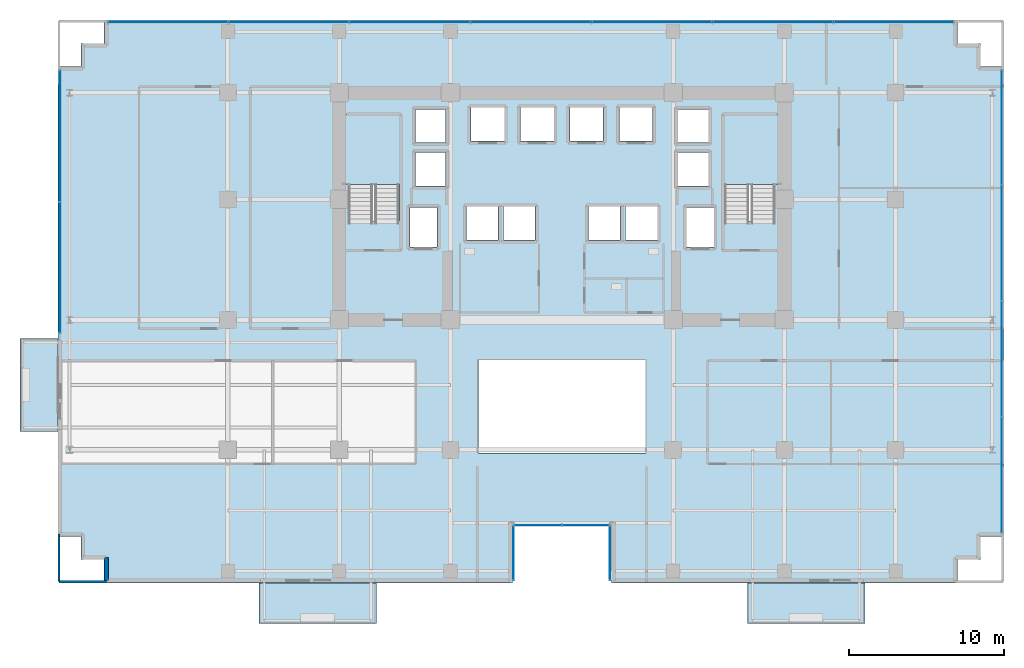
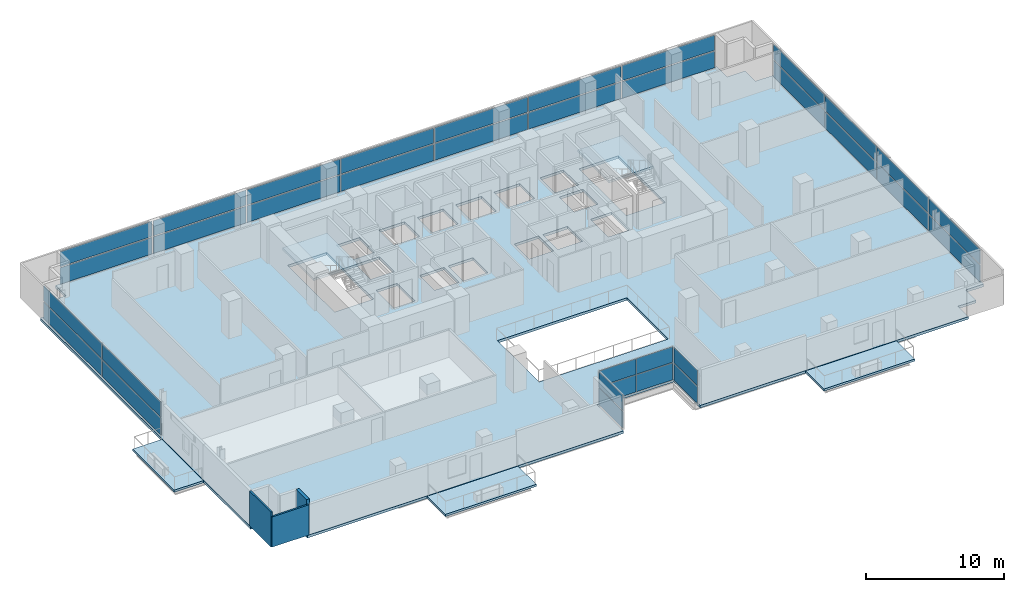
# One storey, part 22 of 30: 34 plates, 6 slabs, 3 walls, 8 elements without a shape of their own.
"""IFC4 building model written with IfcOpenShell, lengths in metres."""

from ifc_helpers import new_model, si_unit, direction, frame, frame_2d, origin, origin_2d, place, context, subcontext, project, spatial, polyline, rectangle, outline, extrude, source, transform, mapped, material, layer, layer_set, type_object, element, aggregate, save


model = new_model("IFC4")

# Units and contexts
model_context = context("Model", 3, precision=1e-05, world=origin(), true_north=direction((0.0, 1.0)))
body_context = subcontext(model_context, "Body", "Model", "MODEL_VIEW")
ifc_project = project(units=[si_unit("LENGTHUNIT", "METRE"), si_unit("AREAUNIT", "SQUARE_METRE"), si_unit("VOLUMEUNIT", "CUBIC_METRE"), si_unit("PLANEANGLEUNIT", "RADIAN"), si_unit("MASSUNIT", "GRAM", prefix="KILO")], contexts=[model_context])

# Site, building, storey
site_placement = place(None, origin())
site = spatial("IfcSite", under=ifc_project, at=site_placement, CompositionType="ELEMENT")
building_placement = place(site_placement, origin())
building = spatial("IfcBuilding", under=site, at=building_placement, Name="Zarnakvel Exchange Tower", CompositionType="ELEMENT")
storey_placement = place(building_placement, frame((0.0, 0.0, 34.0)))
storey = spatial("IfcBuildingStorey", under=building, at=storey_placement, Name="L08", CompositionType="ELEMENT", Elevation=34.0)

# Stair, slab
ifc_material_1 = material(Name="Concrete C40/50", Category="concrete")
stair_type = type_object("IfcStairType", Name="STR-01", PredefinedType="HALF_TURN_STAIR", material=ifc_material_1)
stair_1_placement = place(storey_placement, origin())
stair_1 = element("IfcStair", 1, at=stair_1_placement, inside=storey, type_object=stair_type, Name="L08 Protected Core Exit Stair ST-01", PredefinedType="HALF_TURN_STAIR")
ifc_layer_1 = layer(ifc_material_1, 0.199951171875)
ifc_layer_set_1 = layer_set([ifc_layer_1], Name="Concrete C40/50")
slab_type_1 = type_object("IfcSlabType", Name="LDG-01", PredefinedType="LANDING", material=ifc_layer_set_1)
slab_1_placement = place(storey_placement, frame((0.0, 0.0, 1.449951171875)))
slab_1 = element("IfcSlab", 2, at=slab_1_placement, type_object=slab_type_1, Name="ST-01 landing 1", PredefinedType="LANDING", context=body_context, shape_type="SweptSolid", body=[
    extrude(outline(polyline([(-14.18994140625, 7.570068359375), (-10.4599609375, 7.570068359375), (-10.4599609375, 12.080078125), (-14.18994140625, 12.080078125), (-14.18994140625, 7.570068359375)])), origin(), (0.0, 0.0, 1.0), 0.199951171875),
])
aggregate(stair_1, [slab_1])

stair_2_placement = place(storey_placement, origin())
stair_2 = element("IfcStair", 3, at=stair_2_placement, inside=storey, type_object=stair_type, Name="L08 Protected Core Exit Stair ST-02", PredefinedType="HALF_TURN_STAIR")
slab_2_placement = place(storey_placement, frame((0.0, 0.0, 1.449951171875)))
slab_2 = element("IfcSlab", 4, at=slab_2_placement, type_object=slab_type_1, Name="ST-02 landing 1", PredefinedType="LANDING", context=body_context, shape_type="SweptSolid", body=[
    extrude(outline(polyline([(10.4599609375, 7.570068359375), (14.18994140625, 7.570068359375), (14.18994140625, 12.080078125), (10.4599609375, 12.080078125), (10.4599609375, 7.570068359375)])), origin(), (0.0, 0.0, 1.0), 0.199951171875),
])
aggregate(stair_2, [slab_2])

# Slabs
ifc_layer_2 = layer(ifc_material_1, 0.22509765625)
ifc_layer_set_2 = layer_set([ifc_layer_2], Name="Concrete C40/50")
slab_type_2 = type_object("IfcSlabType", Name="SL-04", PredefinedType="FLOOR", material=ifc_layer_set_2)
slab_3_placement = place(storey_placement, frame((0.0, 0.0, -0.22509765625)))
element("IfcSlab", 5, at=slab_3_placement, inside=storey, type_object=slab_type_2, Name="L08 Primary Structural Floor Slab", PredefinedType="FLOOR", context=body_context, shape_type="SweptSolid", body=[
    extrude(outline(polyline([(-32.60009765625, -15.199951171875), (-31.10009765625, -15.199951171875), (-31.10009765625, -16.699951171875), (-29.60009765625, -16.699951171875), (-29.60009765625, -18.199951171875), (-3.199951171875, -18.199951171875), (-3.199951171875, -14.39990234375), (3.199951171875, -14.39990234375), (3.199951171875, -18.199951171875), (25.60009765625, -18.199951171875), (25.60009765625, -16.699951171875), (27.10009765625, -16.699951171875), (27.10009765625, -15.199951171875), (28.60009765625, -15.199951171875), (28.60009765625, 15.199951171875), (27.10009765625, 15.199951171875), (27.10009765625, 16.699951171875), (25.60009765625, 16.699951171875), (25.60009765625, 18.199951171875), (-29.60009765625, 18.199951171875), (-29.60009765625, 16.699951171875), (-31.10009765625, 16.699951171875), (-31.10009765625, 15.199951171875), (-32.60009765625, 15.199951171875), (-32.60009765625, -15.199951171875)]), holes=[polyline([(-5.39990234375, -9.800048828125), (5.39990234375, -9.800048828125), (5.39990234375, -3.800048828125), (-5.39990234375, -3.800048828125), (-5.39990234375, -9.800048828125)]), polyline([(-13.800048828125, 5.2099609375), (-10.5400390625, 5.2099609375), (-10.5400390625, 12.0), (-13.800048828125, 12.0), (-13.800048828125, 5.2099609375)]), polyline([(10.5400390625, 5.2099609375), (13.800048828125, 5.2099609375), (13.800048828125, 12.0), (10.5400390625, 12.0), (10.5400390625, 5.2099609375)]), polyline([(-9.830078125, 3.52001953125), (-8.070068359375, 3.52001953125), (-8.070068359375, 6.080078125), (-9.830078125, 6.080078125), (-9.830078125, 3.52001953125)]), polyline([(8.070068359375, 3.52001953125), (9.830078125, 3.52001953125), (9.830078125, 6.080078125), (8.070068359375, 6.080078125), (8.070068359375, 3.52001953125)]), polyline([(-5.8798828125, 10.3701171875), (-3.719970703125, 10.3701171875), (-3.719970703125, 12.530029296875), (-5.8798828125, 12.530029296875), (-5.8798828125, 10.3701171875)]), polyline([(-2.679931640625, 10.3701171875), (-0.52001953125, 10.3701171875), (-0.52001953125, 12.530029296875), (-2.679931640625, 12.530029296875), (-2.679931640625, 10.3701171875)]), polyline([(0.52001953125, 10.3701171875), (2.679931640625, 10.3701171875), (2.679931640625, 12.530029296875), (0.52001953125, 12.530029296875), (0.52001953125, 10.3701171875)]), polyline([(3.719970703125, 10.3701171875), (5.8798828125, 10.3701171875), (5.8798828125, 12.530029296875), (3.719970703125, 12.530029296875), (3.719970703125, 10.3701171875)]), polyline([(-6.179931640625, 3.969970703125), (-4.1201171875, 3.969970703125), (-4.1201171875, 6.1298828125), (-6.179931640625, 6.1298828125), (-6.179931640625, 3.969970703125)]), polyline([(-3.780029296875, 3.969970703125), (-1.719970703125, 3.969970703125), (-1.719970703125, 6.1298828125), (-3.780029296875, 6.1298828125), (-3.780029296875, 3.969970703125)]), polyline([(1.719970703125, 3.969970703125), (3.780029296875, 3.969970703125), (3.780029296875, 6.1298828125), (1.719970703125, 6.1298828125), (1.719970703125, 3.969970703125)]), polyline([(4.1201171875, 3.969970703125), (6.179931640625, 3.969970703125), (6.179931640625, 6.1298828125), (4.1201171875, 6.1298828125), (4.1201171875, 3.969970703125)]), polyline([(-9.47998046875, 7.469970703125), (-7.52001953125, 7.469970703125), (-7.52001953125, 9.6298828125), (-9.47998046875, 9.6298828125), (-9.47998046875, 7.469970703125)]), polyline([(-9.47998046875, 10.27001953125), (-7.52001953125, 10.27001953125), (-7.52001953125, 12.429931640625), (-9.47998046875, 12.429931640625), (-9.47998046875, 10.27001953125)]), polyline([(7.52001953125, 7.469970703125), (9.47998046875, 7.469970703125), (9.47998046875, 9.6298828125), (7.52001953125, 9.6298828125), (7.52001953125, 7.469970703125)]), polyline([(7.52001953125, 10.27001953125), (9.47998046875, 10.27001953125), (9.47998046875, 12.429931640625), (7.52001953125, 12.429931640625), (7.52001953125, 10.27001953125)])]), origin(), (0.0, 0.0, 1.0), 0.22509765625),
])
ifc_layer_3 = layer(ifc_material_1, 0.18994140625)
ifc_layer_set_3 = layer_set([ifc_layer_3], Name="Concrete C40/50")
slab_type_3 = type_object("IfcSlabType", Name="SL-08", PredefinedType="USERDEFINED", material=ifc_layer_set_3)
slab_4_placement = place(storey_placement, frame((0.0, 0.0, -0.22509765625)))
element("IfcSlab", 6, at=slab_4_placement, inside=storey, type_object=slab_type_3, Name="L08 Planted Loggia Balcony Slab BAL-L08-SW", ObjectType="BALCONY", PredefinedType="USERDEFINED", context=body_context, shape_type="SweptSolid", body=[
    extrude(outline(polyline([(-19.60009765625, -20.85009765625), (-12.0, -20.85009765625), (-12.0, -18.199951171875), (-19.60009765625, -18.199951171875), (-19.60009765625, -20.85009765625)])), origin(), (0.0, 0.0, 1.0), 0.190185546875),
])
slab_5_placement = place(storey_placement, frame((0.0, 0.0, -0.22509765625)))
element("IfcSlab", 7, at=slab_5_placement, inside=storey, type_object=slab_type_3, Name="L08 Planted Loggia Balcony Slab BAL-L08-SE", ObjectType="BALCONY", PredefinedType="USERDEFINED", context=body_context, shape_type="SweptSolid", body=[
    extrude(outline(polyline([(12.0, -20.85009765625), (19.60009765625, -20.85009765625), (19.60009765625, -18.199951171875), (12.0, -18.199951171875), (12.0, -20.85009765625)])), origin(), (0.0, 0.0, 1.0), 0.190185546875),
])
slab_6_placement = place(storey_placement, frame((0.0, 0.0, -0.22509765625)))
element("IfcSlab", 8, at=slab_6_placement, inside=storey, type_object=slab_type_3, Name="L08 Planted Loggia Balcony Slab BAL-L08-W", ObjectType="BALCONY", PredefinedType="USERDEFINED", context=body_context, shape_type="SweptSolid", body=[
    extrude(outline(polyline([(-35.050048828125, -8.39990234375), (-32.60009765625, -8.39990234375), (-32.60009765625, -2.39990234375), (-35.050048828125, -2.39990234375), (-35.050048828125, -8.39990234375)])), origin(), (0.0, 0.0, 1.0), 0.190185546875),
])

# Curtain wall, plate
ifc_material_2 = material(Name="Architectural Bronze Anodised Aluminium", Category="aluminium")
ifc_layer_4 = layer(ifc_material_2, 0.179931640625)
ifc_layer_set_4 = layer_set([ifc_layer_4], Name="Architectural Bronze Anodised Aluminium")
curtain_wall_type_1 = type_object("IfcCurtainWallType", Name="CW-05", PredefinedType="NOTDEFINED", material=ifc_layer_set_4)
curtain_wall_1_placement = place(storey_placement, origin())
curtain_wall_1 = element("IfcCurtainWall", 9, at=curtain_wall_1_placement, inside=storey, type_object=curtain_wall_type_1, Name="L08 Curtain Wall CW-L08-SLW (CW-05)", PredefinedType="NOTDEFINED")
ifc_material_3 = material(Name="Double Low-E Laminated Vision Glass", Category="glass")
ifc_layer_5 = layer(ifc_material_3, 0.02587890625)
ifc_layer_set_5 = layer_set([ifc_layer_5], Name="Double Low-E Laminated Vision Glass")
plate_type_1 = type_object("IfcPlateType", Name="CWP-05", PredefinedType="CURTAIN_PANEL", material=ifc_layer_set_5)
shared_shape_1 = source(origin(), body_context, "Body", "SweptSolid", [
    extrude(rectangle(XDim=3.4599609375, YDim=0.02587890625, at=origin_2d()), origin(), (0.0, 0.0, 1.0), 1.483642578125),
])
plate_1_placement = place(storey_placement, frame((-3.1201171875, -16.280029296875, 0.06982421875), z_axis=(0.0, 0.0, 1.0), x_axis=(0.0, 1.0, 0.0)))
plate_1 = element("IfcPlate", 10, at=plate_1_placement, type_object=plate_type_1, Name="CW-05 panel 1.1", PredefinedType="CURTAIN_PANEL", context=body_context, shape_type="MappedRepresentation", body=[
    mapped(shared_shape_1, transform((0.0, 0.0, 0.0), x_axis=(1.0, 0.0, 0.0), y_axis=(0.0, 1.0, 0.0), z_axis=(0.0, 0.0, 1.0), scale=1.0)),
])

curtain_wall_2_placement = place(storey_placement, origin())
curtain_wall_2 = element("IfcCurtainWall", 11, at=curtain_wall_2_placement, inside=storey, type_object=curtain_wall_type_1, Name="L08 Curtain Wall CW-L08-SLE (CW-05)", PredefinedType="NOTDEFINED")
plate_2_placement = place(storey_placement, frame((3.1201171875, -16.280029296875, 0.06982421875), z_axis=(0.0, 0.0, 1.0), x_axis=(0.0, -1.0, 0.0)))
plate_2 = element("IfcPlate", 12, at=plate_2_placement, type_object=plate_type_1, Name="CW-05 panel 1.1", PredefinedType="CURTAIN_PANEL", context=body_context, shape_type="MappedRepresentation", body=[
    mapped(shared_shape_1, transform((0.0, 0.0, 0.0), x_axis=(1.0, 0.0, 0.0), y_axis=(0.0, 1.0, 0.0), z_axis=(0.0, 0.0, 1.0), scale=1.0)),
])

# Plate
shared_shape_2 = source(origin(), body_context, "Body", "SweptSolid", [
    extrude(rectangle(XDim=3.4599609375, YDim=0.02587890625, at=origin_2d()), origin(), (0.0, 0.0, 1.0), 1.361328125),
])
plate_3_placement = place(storey_placement, frame((-3.1201171875, -16.280029296875, 1.62353515625), z_axis=(0.0, 0.0, 1.0), x_axis=(0.0, 1.0, 0.0)))
plate_3 = element("IfcPlate", 13, at=plate_3_placement, type_object=plate_type_1, Name="CW-05 panel 1.2", PredefinedType="CURTAIN_PANEL", context=body_context, shape_type="MappedRepresentation", body=[
    mapped(shared_shape_2, transform((0.0, 0.0, 0.0), x_axis=(1.0, 0.0, 0.0), y_axis=(0.0, 1.0, 0.0), z_axis=(0.0, 0.0, 1.0), scale=1.0)),
])

aggregate(curtain_wall_1, [plate_1, plate_3])

plate_4_placement = place(storey_placement, frame((3.1201171875, -16.280029296875, 1.62353515625), z_axis=(0.0, 0.0, 1.0), x_axis=(0.0, -1.0, 0.0)))
plate_4 = element("IfcPlate", 14, at=plate_4_placement, type_object=plate_type_1, Name="CW-05 panel 1.2", PredefinedType="CURTAIN_PANEL", context=body_context, shape_type="MappedRepresentation", body=[
    mapped(shared_shape_2, transform((0.0, 0.0, 0.0), x_axis=(1.0, 0.0, 0.0), y_axis=(0.0, 1.0, 0.0), z_axis=(0.0, 0.0, 1.0), scale=1.0)),
])

aggregate(curtain_wall_2, [plate_2, plate_4])

# Curtain wall, plates
curtain_wall_3_placement = place(storey_placement, origin())
curtain_wall_3 = element("IfcCurtainWall", 15, at=curtain_wall_3_placement, inside=storey, type_object=curtain_wall_type_1, Name="L08 Curtain Wall CW-L08-SLB (CW-05)", PredefinedType="NOTDEFINED")
shared_shape_3 = source(origin(), body_context, "Body", "SweptSolid", [
    extrude(rectangle(XDim=3.014892578125, YDim=0.02587890625, at=origin_2d()), origin(), (0.0, 0.0, 1.0), 1.483642578125),
])
plate_5_placement = place(storey_placement, frame((-1.54248046875, -14.47998046875, 0.06982421875), z_axis=(0.0, 0.0, 1.0), x_axis=(1.0, 0.0, 0.0)))
plate_5 = element("IfcPlate", 16, at=plate_5_placement, type_object=plate_type_1, Name="CW-05 panel 1.1", PredefinedType="CURTAIN_PANEL", context=body_context, shape_type="MappedRepresentation", body=[
    mapped(shared_shape_3, transform((0.0, 0.0, 0.0), x_axis=(1.0, 0.0, 0.0), y_axis=(0.0, 1.0, 0.0), z_axis=(0.0, 0.0, 1.0), scale=1.0)),
])
plate_6_placement = place(storey_placement, frame((1.54248046875, -14.47998046875, 0.06982421875), z_axis=(0.0, 0.0, 1.0), x_axis=(1.0, 0.0, 0.0)))
plate_6 = element("IfcPlate", 17, at=plate_6_placement, type_object=plate_type_1, Name="CW-05 panel 2.1", PredefinedType="CURTAIN_PANEL", context=body_context, shape_type="MappedRepresentation", body=[
    mapped(shared_shape_3, transform((0.0, 0.0, 0.0), x_axis=(1.0, 0.0, 0.0), y_axis=(0.0, 1.0, 0.0), z_axis=(0.0, 0.0, 1.0), scale=1.0)),
])
shared_shape_4 = source(origin(), body_context, "Body", "SweptSolid", [
    extrude(rectangle(XDim=3.014892578125, YDim=0.02587890625, at=origin_2d()), origin(), (0.0, 0.0, 1.0), 1.361328125),
])
plate_7_placement = place(storey_placement, frame((-1.54248046875, -14.47998046875, 1.62353515625), z_axis=(0.0, 0.0, 1.0), x_axis=(1.0, 0.0, 0.0)))
plate_7 = element("IfcPlate", 18, at=plate_7_placement, type_object=plate_type_1, Name="CW-05 panel 1.2", PredefinedType="CURTAIN_PANEL", context=body_context, shape_type="MappedRepresentation", body=[
    mapped(shared_shape_4, transform((0.0, 0.0, 0.0), x_axis=(1.0, 0.0, 0.0), y_axis=(0.0, 1.0, 0.0), z_axis=(0.0, 0.0, 1.0), scale=1.0)),
])
plate_8_placement = place(storey_placement, frame((1.54248046875, -14.47998046875, 1.62353515625), z_axis=(0.0, 0.0, 1.0), x_axis=(1.0, 0.0, 0.0)))
plate_8 = element("IfcPlate", 19, at=plate_8_placement, type_object=plate_type_1, Name="CW-05 panel 2.2", PredefinedType="CURTAIN_PANEL", context=body_context, shape_type="MappedRepresentation", body=[
    mapped(shared_shape_4, transform((0.0, 0.0, 0.0), x_axis=(1.0, 0.0, 0.0), y_axis=(0.0, 1.0, 0.0), z_axis=(0.0, 0.0, 1.0), scale=1.0)),
])
aggregate(curtain_wall_3, [plate_5, plate_7, plate_6, plate_8])

ifc_layer_6 = layer(ifc_material_2, 0.239990234375)
ifc_layer_set_6 = layer_set([ifc_layer_6], Name="Architectural Bronze Anodised Aluminium")
curtain_wall_type_2 = type_object("IfcCurtainWallType", Name="CW-02", PredefinedType="NOTDEFINED", material=ifc_layer_set_6)
curtain_wall_4_placement = place(storey_placement, origin())
curtain_wall_4 = element("IfcCurtainWall", 20, at=curtain_wall_4_placement, inside=storey, type_object=curtain_wall_type_2, Name="L08 Curtain Wall CW-L08-N1 (CW-02)", PredefinedType="NOTDEFINED")
ifc_layer_7 = layer(ifc_material_3, 0.031982421875)
ifc_layer_set_7 = layer_set([ifc_layer_7], Name="Double Low-E Laminated Vision Glass")
plate_type_2 = type_object("IfcPlateType", Name="CWP-02", PredefinedType="CURTAIN_PANEL", material=ifc_layer_set_7)
shared_shape_5 = source(origin(), body_context, "Body", "SweptSolid", [
    extrude(rectangle(XDim=7.693603515625, YDim=0.031982421875, at=origin_2d()), origin(), (0.0, 0.0, 1.0), 1.461181640625),
])
plate_9_placement = place(storey_placement, frame((-25.463134765625, 18.06005859375, 0.0849609375), z_axis=(0.0, 0.0, 1.0), x_axis=(1.0, 0.0, 0.0)))
plate_9 = element("IfcPlate", 21, at=plate_9_placement, type_object=plate_type_2, Name="CW-02 panel 1.1", PredefinedType="CURTAIN_PANEL", context=body_context, shape_type="MappedRepresentation", body=[
    mapped(shared_shape_5, transform((0.0, 0.0, 0.0), x_axis=(1.0, 0.0, 0.0), y_axis=(0.0, 1.0, 0.0), z_axis=(0.0, 0.0, 1.0), scale=1.0)),
])
plate_10_placement = place(storey_placement, frame((21.463134765625, 18.06005859375, 0.0849609375), z_axis=(0.0, 0.0, 1.0), x_axis=(1.0, 0.0, 0.0)))
plate_10 = element("IfcPlate", 22, at=plate_10_placement, type_object=plate_type_2, Name="CW-02 panel 7.1", PredefinedType="CURTAIN_PANEL", context=body_context, shape_type="MappedRepresentation", body=[
    mapped(shared_shape_5, transform((0.0, 0.0, 0.0), x_axis=(1.0, 0.0, 0.0), y_axis=(0.0, 1.0, 0.0), z_axis=(0.0, 0.0, 1.0), scale=1.0)),
])
shared_shape_6 = source(origin(), body_context, "Body", "SweptSolid", [
    extrude(rectangle(XDim=7.693603515625, YDim=0.031982421875, at=origin_2d()), origin(), (0.0, 0.0, 1.0), 1.3388671875),
])
plate_11_placement = place(storey_placement, frame((-25.463134765625, 18.06005859375, 1.631103515625), z_axis=(0.0, 0.0, 1.0), x_axis=(1.0, 0.0, 0.0)))
plate_11 = element("IfcPlate", 23, at=plate_11_placement, type_object=plate_type_2, Name="CW-02 panel 1.2", PredefinedType="CURTAIN_PANEL", context=body_context, shape_type="MappedRepresentation", body=[
    mapped(shared_shape_6, transform((0.0, 0.0, 0.0), x_axis=(1.0, 0.0, 0.0), y_axis=(0.0, 1.0, 0.0), z_axis=(0.0, 0.0, 1.0), scale=1.0)),
])
plate_12_placement = place(storey_placement, frame((21.463134765625, 18.06005859375, 1.631103515625), z_axis=(0.0, 0.0, 1.0), x_axis=(1.0, 0.0, 0.0)))
plate_12 = element("IfcPlate", 24, at=plate_12_placement, type_object=plate_type_2, Name="CW-02 panel 7.2", PredefinedType="CURTAIN_PANEL", context=body_context, shape_type="MappedRepresentation", body=[
    mapped(shared_shape_6, transform((0.0, 0.0, 0.0), x_axis=(1.0, 0.0, 0.0), y_axis=(0.0, 1.0, 0.0), z_axis=(0.0, 0.0, 1.0), scale=1.0)),
])
shared_shape_7 = source(origin(), body_context, "Body", "SweptSolid", [
    extrude(rectangle(XDim=7.738525390625, YDim=0.031982421875, at=origin_2d()), origin(), (0.0, 0.0, 1.0), 1.461181640625),
])
plate_13_placement = place(storey_placement, frame((-17.6572265625, 18.06005859375, 0.0849609375), z_axis=(0.0, 0.0, 1.0), x_axis=(1.0, 0.0, 0.0)))
plate_13 = element("IfcPlate", 25, at=plate_13_placement, type_object=plate_type_2, Name="CW-02 panel 2.1", PredefinedType="CURTAIN_PANEL", context=body_context, shape_type="MappedRepresentation", body=[
    mapped(shared_shape_7, transform((0.0, 0.0, 0.0), x_axis=(1.0, 0.0, 0.0), y_axis=(0.0, 1.0, 0.0), z_axis=(0.0, 0.0, 1.0), scale=1.0)),
])
plate_14_placement = place(storey_placement, frame((-9.82861328125, 18.06005859375, 0.0849609375), z_axis=(0.0, 0.0, 1.0), x_axis=(1.0, 0.0, 0.0)))
plate_14 = element("IfcPlate", 26, at=plate_14_placement, type_object=plate_type_2, Name="CW-02 panel 3.1", PredefinedType="CURTAIN_PANEL", context=body_context, shape_type="MappedRepresentation", body=[
    mapped(shared_shape_7, transform((0.0, 0.0, 0.0), x_axis=(1.0, 0.0, 0.0), y_axis=(0.0, 1.0, 0.0), z_axis=(0.0, 0.0, 1.0), scale=1.0)),
])
plate_15_placement = place(storey_placement, frame((-2.0, 18.06005859375, 0.0849609375), z_axis=(0.0, 0.0, 1.0), x_axis=(1.0, 0.0, 0.0)))
plate_15 = element("IfcPlate", 27, at=plate_15_placement, type_object=plate_type_2, Name="CW-02 panel 4.1", PredefinedType="CURTAIN_PANEL", context=body_context, shape_type="MappedRepresentation", body=[
    mapped(shared_shape_7, transform((0.0, 0.0, 0.0), x_axis=(1.0, 0.0, 0.0), y_axis=(0.0, 1.0, 0.0), z_axis=(0.0, 0.0, 1.0), scale=1.0)),
])
plate_16_placement = place(storey_placement, frame((5.82861328125, 18.06005859375, 0.0849609375), z_axis=(0.0, 0.0, 1.0), x_axis=(1.0, 0.0, 0.0)))
plate_16 = element("IfcPlate", 28, at=plate_16_placement, type_object=plate_type_2, Name="CW-02 panel 5.1", PredefinedType="CURTAIN_PANEL", context=body_context, shape_type="MappedRepresentation", body=[
    mapped(shared_shape_7, transform((0.0, 0.0, 0.0), x_axis=(1.0, 0.0, 0.0), y_axis=(0.0, 1.0, 0.0), z_axis=(0.0, 0.0, 1.0), scale=1.0)),
])
plate_17_placement = place(storey_placement, frame((13.6572265625, 18.06005859375, 0.0849609375), z_axis=(0.0, 0.0, 1.0), x_axis=(1.0, 0.0, 0.0)))
plate_17 = element("IfcPlate", 29, at=plate_17_placement, type_object=plate_type_2, Name="CW-02 panel 6.1", PredefinedType="CURTAIN_PANEL", context=body_context, shape_type="MappedRepresentation", body=[
    mapped(shared_shape_7, transform((0.0, 0.0, 0.0), x_axis=(1.0, 0.0, 0.0), y_axis=(0.0, 1.0, 0.0), z_axis=(0.0, 0.0, 1.0), scale=1.0)),
])
shared_shape_8 = source(origin(), body_context, "Body", "SweptSolid", [
    extrude(rectangle(XDim=7.738525390625, YDim=0.031982421875, at=origin_2d()), origin(), (0.0, 0.0, 1.0), 1.3388671875),
])
plate_18_placement = place(storey_placement, frame((-17.6572265625, 18.06005859375, 1.631103515625), z_axis=(0.0, 0.0, 1.0), x_axis=(1.0, 0.0, 0.0)))
plate_18 = element("IfcPlate", 30, at=plate_18_placement, type_object=plate_type_2, Name="CW-02 panel 2.2", PredefinedType="CURTAIN_PANEL", context=body_context, shape_type="MappedRepresentation", body=[
    mapped(shared_shape_8, transform((0.0, 0.0, 0.0), x_axis=(1.0, 0.0, 0.0), y_axis=(0.0, 1.0, 0.0), z_axis=(0.0, 0.0, 1.0), scale=1.0)),
])
plate_19_placement = place(storey_placement, frame((-9.82861328125, 18.06005859375, 1.631103515625), z_axis=(0.0, 0.0, 1.0), x_axis=(1.0, 0.0, 0.0)))
plate_19 = element("IfcPlate", 31, at=plate_19_placement, type_object=plate_type_2, Name="CW-02 panel 3.2", PredefinedType="CURTAIN_PANEL", context=body_context, shape_type="MappedRepresentation", body=[
    mapped(shared_shape_8, transform((0.0, 0.0, 0.0), x_axis=(1.0, 0.0, 0.0), y_axis=(0.0, 1.0, 0.0), z_axis=(0.0, 0.0, 1.0), scale=1.0)),
])
plate_20_placement = place(storey_placement, frame((-2.0, 18.06005859375, 1.631103515625), z_axis=(0.0, 0.0, 1.0), x_axis=(1.0, 0.0, 0.0)))
plate_20 = element("IfcPlate", 32, at=plate_20_placement, type_object=plate_type_2, Name="CW-02 panel 4.2", PredefinedType="CURTAIN_PANEL", context=body_context, shape_type="MappedRepresentation", body=[
    mapped(shared_shape_8, transform((0.0, 0.0, 0.0), x_axis=(1.0, 0.0, 0.0), y_axis=(0.0, 1.0, 0.0), z_axis=(0.0, 0.0, 1.0), scale=1.0)),
])
plate_21_placement = place(storey_placement, frame((5.82861328125, 18.06005859375, 1.631103515625), z_axis=(0.0, 0.0, 1.0), x_axis=(1.0, 0.0, 0.0)))
plate_21 = element("IfcPlate", 33, at=plate_21_placement, type_object=plate_type_2, Name="CW-02 panel 5.2", PredefinedType="CURTAIN_PANEL", context=body_context, shape_type="MappedRepresentation", body=[
    mapped(shared_shape_8, transform((0.0, 0.0, 0.0), x_axis=(1.0, 0.0, 0.0), y_axis=(0.0, 1.0, 0.0), z_axis=(0.0, 0.0, 1.0), scale=1.0)),
])
plate_22_placement = place(storey_placement, frame((13.6572265625, 18.06005859375, 1.631103515625), z_axis=(0.0, 0.0, 1.0), x_axis=(1.0, 0.0, 0.0)))
plate_22 = element("IfcPlate", 34, at=plate_22_placement, type_object=plate_type_2, Name="CW-02 panel 6.2", PredefinedType="CURTAIN_PANEL", context=body_context, shape_type="MappedRepresentation", body=[
    mapped(shared_shape_8, transform((0.0, 0.0, 0.0), x_axis=(1.0, 0.0, 0.0), y_axis=(0.0, 1.0, 0.0), z_axis=(0.0, 0.0, 1.0), scale=1.0)),
])
aggregate(curtain_wall_4, [plate_9, plate_11, plate_13, plate_18, plate_14, plate_19, plate_15, plate_20, plate_16, plate_21, plate_17, plate_22, plate_10, plate_12])

ifc_layer_8 = layer(ifc_material_2, 0.199951171875)
ifc_layer_set_8 = layer_set([ifc_layer_8], Name="Architectural Bronze Anodised Aluminium")
curtain_wall_type_3 = type_object("IfcCurtainWallType", Name="CW-04", PredefinedType="NOTDEFINED", material=ifc_layer_set_8)
curtain_wall_5_placement = place(storey_placement, origin())
curtain_wall_5 = element("IfcCurtainWall", 35, at=curtain_wall_5_placement, inside=storey, type_object=curtain_wall_type_3, Name="L08 Curtain Wall CW-L08-WN (CW-04)", PredefinedType="NOTDEFINED")
ifc_layer_9 = layer(ifc_material_3, 0.028076171875)
ifc_layer_set_9 = layer_set([ifc_layer_9], Name="Double Low-E Laminated Vision Glass")
plate_type_3 = type_object("IfcPlateType", Name="CWP-04", PredefinedType="CURTAIN_PANEL", material=ifc_layer_set_9)
shared_shape_9 = source(origin(), body_context, "Body", "SweptSolid", [
    extrude(rectangle(XDim=8.4375, YDim=0.028076171875, at=origin_2d()), origin(), (0.0, 0.0, 1.0), 1.47607421875),
])
plate_23_placement = place(storey_placement, frame((-32.4599609375, 2.19384765625, 0.074951171875), z_axis=(0.0, 0.0, 1.0), x_axis=(0.0, 1.0, 0.0)))
plate_23 = element("IfcPlate", 36, at=plate_23_placement, type_object=plate_type_3, Name="CW-04 panel 1.1", PredefinedType="CURTAIN_PANEL", context=body_context, shape_type="MappedRepresentation", body=[
    mapped(shared_shape_9, transform((0.0, 0.0, 0.0), x_axis=(1.0, 0.0, 0.0), y_axis=(0.0, 1.0, 0.0), z_axis=(0.0, 0.0, 1.0), scale=1.0)),
])
plate_24_placement = place(storey_placement, frame((-32.4599609375, 10.706298828125, 0.074951171875), z_axis=(0.0, 0.0, 1.0), x_axis=(0.0, 1.0, 0.0)))
plate_24 = element("IfcPlate", 37, at=plate_24_placement, type_object=plate_type_3, Name="CW-04 panel 2.1", PredefinedType="CURTAIN_PANEL", context=body_context, shape_type="MappedRepresentation", body=[
    mapped(shared_shape_9, transform((0.0, 0.0, 0.0), x_axis=(1.0, 0.0, 0.0), y_axis=(0.0, 1.0, 0.0), z_axis=(0.0, 0.0, 1.0), scale=1.0)),
])
shared_shape_10 = source(origin(), body_context, "Body", "SweptSolid", [
    extrude(rectangle(XDim=8.4375, YDim=0.028076171875, at=origin_2d()), origin(), (0.0, 0.0, 1.0), 1.35400390625),
])
plate_25_placement = place(storey_placement, frame((-32.4599609375, 2.19384765625, 1.6259765625), z_axis=(0.0, 0.0, 1.0), x_axis=(0.0, 1.0, 0.0)))
plate_25 = element("IfcPlate", 38, at=plate_25_placement, type_object=plate_type_3, Name="CW-04 panel 1.2", PredefinedType="CURTAIN_PANEL", context=body_context, shape_type="MappedRepresentation", body=[
    mapped(shared_shape_10, transform((0.0, 0.0, 0.0), x_axis=(1.0, 0.0, 0.0), y_axis=(0.0, 1.0, 0.0), z_axis=(0.0, 0.0, 1.0), scale=1.0)),
])
plate_26_placement = place(storey_placement, frame((-32.4599609375, 10.706298828125, 1.6259765625), z_axis=(0.0, 0.0, 1.0), x_axis=(0.0, 1.0, 0.0)))
plate_26 = element("IfcPlate", 39, at=plate_26_placement, type_object=plate_type_3, Name="CW-04 panel 2.2", PredefinedType="CURTAIN_PANEL", context=body_context, shape_type="MappedRepresentation", body=[
    mapped(shared_shape_10, transform((0.0, 0.0, 0.0), x_axis=(1.0, 0.0, 0.0), y_axis=(0.0, 1.0, 0.0), z_axis=(0.0, 0.0, 1.0), scale=1.0)),
])
aggregate(curtain_wall_5, [plate_23, plate_25, plate_24, plate_26])

curtain_wall_6_placement = place(storey_placement, origin())
curtain_wall_6 = element("IfcCurtainWall", 40, at=curtain_wall_6_placement, inside=storey, type_object=curtain_wall_type_3, Name="L08 Curtain Wall CW-L08-E1 (CW-04)", PredefinedType="NOTDEFINED")
shared_shape_11 = source(origin(), body_context, "Body", "SweptSolid", [
    extrude(rectangle(XDim=7.387451171875, YDim=0.028076171875, at=origin_2d()), origin(), (0.0, 0.0, 1.0), 1.47607421875),
])
plate_27_placement = place(storey_placement, frame((28.4599609375, -11.231201171875, 0.074951171875), z_axis=(0.0, 0.0, 1.0), x_axis=(0.0, 1.0, 0.0)))
plate_27 = element("IfcPlate", 41, at=plate_27_placement, type_object=plate_type_3, Name="CW-04 panel 1.1", PredefinedType="CURTAIN_PANEL", context=body_context, shape_type="MappedRepresentation", body=[
    mapped(shared_shape_11, transform((0.0, 0.0, 0.0), x_axis=(1.0, 0.0, 0.0), y_axis=(0.0, 1.0, 0.0), z_axis=(0.0, 0.0, 1.0), scale=1.0)),
])
plate_28_placement = place(storey_placement, frame((28.4599609375, 11.231201171875, 0.074951171875), z_axis=(0.0, 0.0, 1.0), x_axis=(0.0, 1.0, 0.0)))
plate_28 = element("IfcPlate", 42, at=plate_28_placement, type_object=plate_type_3, Name="CW-04 panel 4.1", PredefinedType="CURTAIN_PANEL", context=body_context, shape_type="MappedRepresentation", body=[
    mapped(shared_shape_11, transform((0.0, 0.0, 0.0), x_axis=(1.0, 0.0, 0.0), y_axis=(0.0, 1.0, 0.0), z_axis=(0.0, 0.0, 1.0), scale=1.0)),
])
shared_shape_12 = source(origin(), body_context, "Body", "SweptSolid", [
    extrude(rectangle(XDim=7.387451171875, YDim=0.028076171875, at=origin_2d()), origin(), (0.0, 0.0, 1.0), 1.35400390625),
])
plate_29_placement = place(storey_placement, frame((28.4599609375, -11.231201171875, 1.6259765625), z_axis=(0.0, 0.0, 1.0), x_axis=(0.0, 1.0, 0.0)))
plate_29 = element("IfcPlate", 43, at=plate_29_placement, type_object=plate_type_3, Name="CW-04 panel 1.2", PredefinedType="CURTAIN_PANEL", context=body_context, shape_type="MappedRepresentation", body=[
    mapped(shared_shape_12, transform((0.0, 0.0, 0.0), x_axis=(1.0, 0.0, 0.0), y_axis=(0.0, 1.0, 0.0), z_axis=(0.0, 0.0, 1.0), scale=1.0)),
])
plate_30_placement = place(storey_placement, frame((28.4599609375, 11.231201171875, 1.6259765625), z_axis=(0.0, 0.0, 1.0), x_axis=(0.0, 1.0, 0.0)))
plate_30 = element("IfcPlate", 44, at=plate_30_placement, type_object=plate_type_3, Name="CW-04 panel 4.2", PredefinedType="CURTAIN_PANEL", context=body_context, shape_type="MappedRepresentation", body=[
    mapped(shared_shape_12, transform((0.0, 0.0, 0.0), x_axis=(1.0, 0.0, 0.0), y_axis=(0.0, 1.0, 0.0), z_axis=(0.0, 0.0, 1.0), scale=1.0)),
])
shared_shape_13 = source(origin(), body_context, "Body", "SweptSolid", [
    extrude(rectangle(XDim=7.425048828125, YDim=0.028076171875, at=origin_2d()), origin(), (0.0, 0.0, 1.0), 1.47607421875),
])
plate_31_placement = place(storey_placement, frame((28.4599609375, -3.75, 0.074951171875), z_axis=(0.0, 0.0, 1.0), x_axis=(0.0, 1.0, 0.0)))
plate_31 = element("IfcPlate", 45, at=plate_31_placement, type_object=plate_type_3, Name="CW-04 panel 2.1", PredefinedType="CURTAIN_PANEL", context=body_context, shape_type="MappedRepresentation", body=[
    mapped(shared_shape_13, transform((0.0, 0.0, 0.0), x_axis=(1.0, 0.0, 0.0), y_axis=(0.0, 1.0, 0.0), z_axis=(0.0, 0.0, 1.0), scale=1.0)),
])
plate_32_placement = place(storey_placement, frame((28.4599609375, 3.75, 0.074951171875), z_axis=(0.0, 0.0, 1.0), x_axis=(0.0, 1.0, 0.0)))
plate_32 = element("IfcPlate", 46, at=plate_32_placement, type_object=plate_type_3, Name="CW-04 panel 3.1", PredefinedType="CURTAIN_PANEL", context=body_context, shape_type="MappedRepresentation", body=[
    mapped(shared_shape_13, transform((0.0, 0.0, 0.0), x_axis=(1.0, 0.0, 0.0), y_axis=(0.0, 1.0, 0.0), z_axis=(0.0, 0.0, 1.0), scale=1.0)),
])
shared_shape_14 = source(origin(), body_context, "Body", "SweptSolid", [
    extrude(rectangle(XDim=7.425048828125, YDim=0.028076171875, at=origin_2d()), origin(), (0.0, 0.0, 1.0), 1.35400390625),
])
plate_33_placement = place(storey_placement, frame((28.4599609375, -3.75, 1.6259765625), z_axis=(0.0, 0.0, 1.0), x_axis=(0.0, 1.0, 0.0)))
plate_33 = element("IfcPlate", 47, at=plate_33_placement, type_object=plate_type_3, Name="CW-04 panel 2.2", PredefinedType="CURTAIN_PANEL", context=body_context, shape_type="MappedRepresentation", body=[
    mapped(shared_shape_14, transform((0.0, 0.0, 0.0), x_axis=(1.0, 0.0, 0.0), y_axis=(0.0, 1.0, 0.0), z_axis=(0.0, 0.0, 1.0), scale=1.0)),
])
plate_34_placement = place(storey_placement, frame((28.4599609375, 3.75, 1.6259765625), z_axis=(0.0, 0.0, 1.0), x_axis=(0.0, 1.0, 0.0)))
plate_34 = element("IfcPlate", 48, at=plate_34_placement, type_object=plate_type_3, Name="CW-04 panel 3.2", PredefinedType="CURTAIN_PANEL", context=body_context, shape_type="MappedRepresentation", body=[
    mapped(shared_shape_14, transform((0.0, 0.0, 0.0), x_axis=(1.0, 0.0, 0.0), y_axis=(0.0, 1.0, 0.0), z_axis=(0.0, 0.0, 1.0), scale=1.0)),
])
aggregate(curtain_wall_6, [plate_27, plate_29, plate_31, plate_33, plate_32, plate_34, plate_28, plate_30])

# Walls
ifc_material_4 = material(Name="Precast concrete C40/50", Category="concrete")
ifc_layer_10 = layer(ifc_material_4, 0.239990234375)
ifc_layer_set_10 = layer_set([ifc_layer_10], Name="Precast concrete C40/50")
wall_type_1 = type_object("IfcWallType", Name="EW-02", PredefinedType="SOLIDWALL", material=ifc_layer_set_10)
wall_1_placement = place(storey_placement, frame((-29.4599609375, -16.56005859375, 0.0), z_axis=(0.0, 0.0, 1.0), x_axis=(0.0, -1.0, 0.0)))
element("IfcWall", 49, at=wall_1_placement, inside=storey, type_object=wall_type_1, Name="L08 Exterior Precast Spandrel Wall EWC-L08-23 (EW-02)", PredefinedType="SOLIDWALL", context=body_context, shape_type="SweptSolid", body=[
    extrude(rectangle(XDim=1.5, YDim=0.239990234375, at=frame_2d((0.75, 0.0))), origin(), (0.0, 0.0, 1.0), 3.074951171875),
])
ifc_material_5 = material(Name="Fire-Rated Gypsum Stud Partition", Category="gypsum")
ifc_layer_11 = layer(ifc_material_5, 0.14990234375)
ifc_layer_set_11 = layer_set([ifc_layer_11], Name="Fire-Rated Gypsum Stud Partition")
wall_type_2 = type_object("IfcWallType", Name="PT-01", PredefinedType="PARTITIONING", material=ifc_layer_set_11)
wall_2_placement = place(storey_placement, frame((-29.4599609375, -18.1298828125, 0.0), z_axis=(0.0, 0.0, 1.0), x_axis=(-1.0, 0.0, 0.0)))
element("IfcWall", 50, at=wall_2_placement, inside=storey, type_object=wall_type_2, Name="L08 Partition Wall PWALL-L08-029 (PT-01)", PredefinedType="PARTITIONING", context=body_context, shape_type="SweptSolid", body=[
    extrude(rectangle(XDim=3.070068359375, YDim=0.14990234375, at=frame_2d((1.53515625, 0.0))), origin(), (0.0, 0.0, 1.0), 2.6650390625),
])
wall_3_placement = place(storey_placement, frame((-32.530029296875, -18.1298828125, 0.0), z_axis=(0.0, 0.0, 1.0), x_axis=(0.0, 1.0, 0.0)))
element("IfcWall", 51, at=wall_3_placement, inside=storey, type_object=wall_type_2, Name="L08 Partition Wall PWALL-L08-030 (PT-01)", PredefinedType="PARTITIONING", context=body_context, shape_type="SweptSolid", body=[
    extrude(rectangle(XDim=3.06982421875, YDim=0.14990234375, at=frame_2d((1.534912109375, 0.0))), origin(), (0.0, 0.0, 1.0), 3.074951171875),
])

save(model, "model.ifc")
